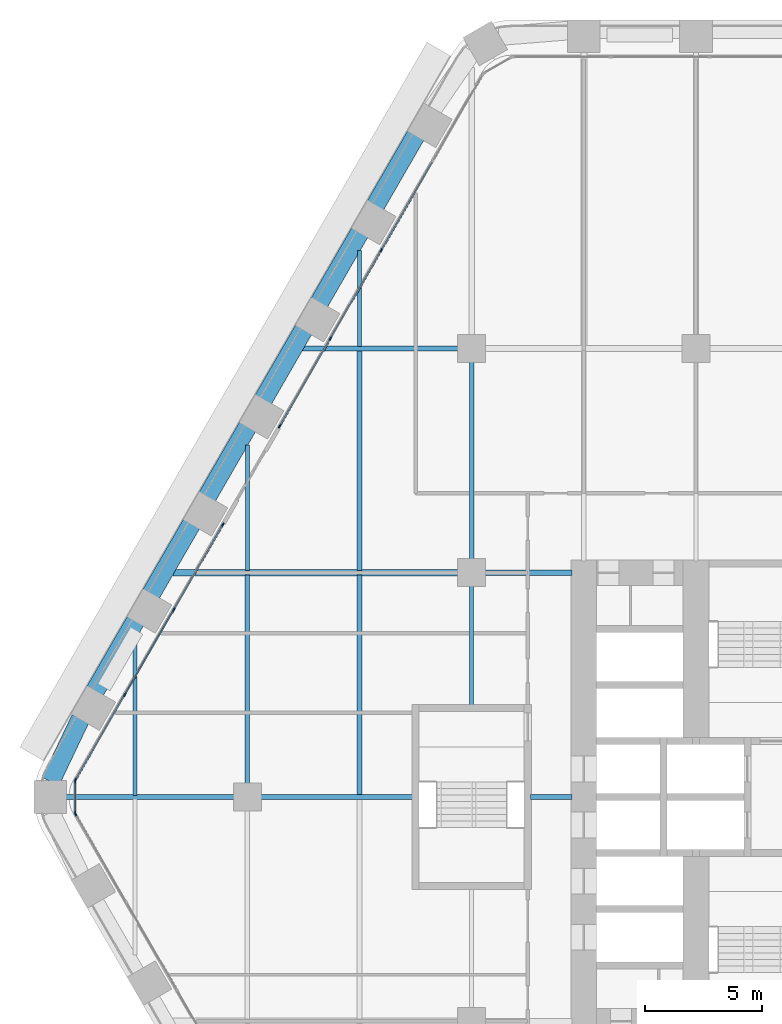
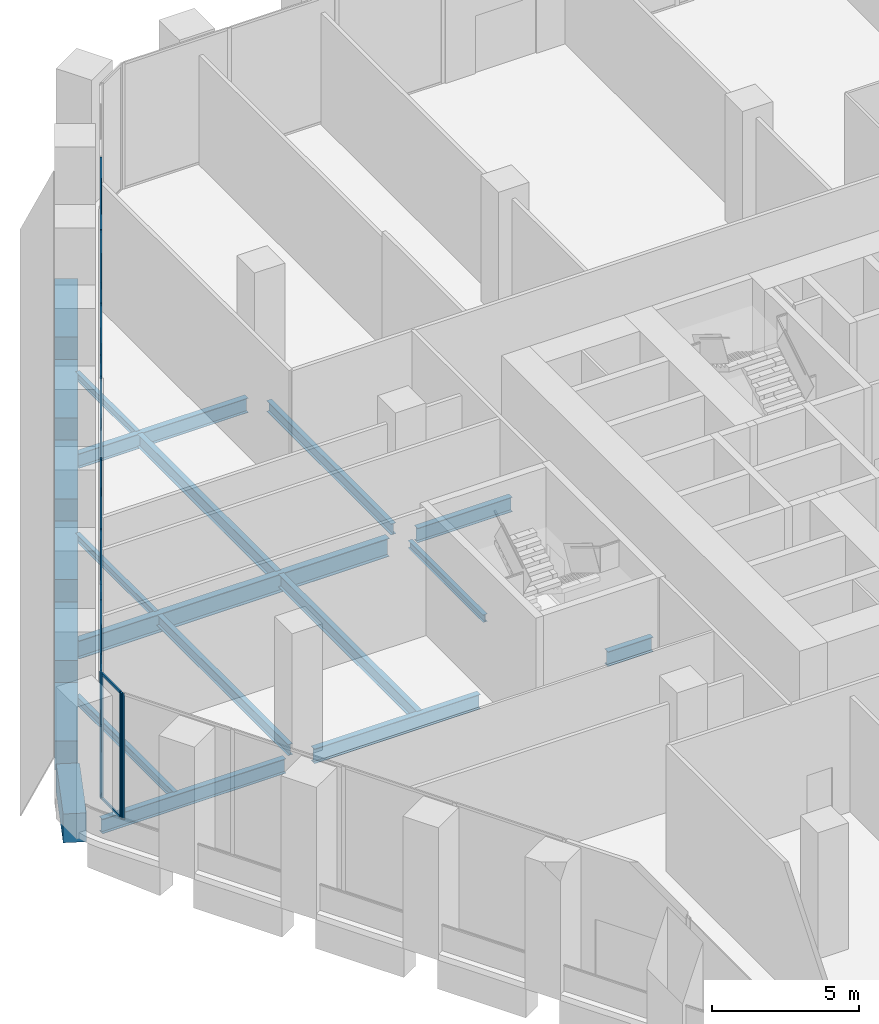
# One storey, part 7 of 27: 24 members, 21 beams, 4 elements without a shape of their own.
"""IFC4 building model written with IfcOpenShell, lengths in metres."""

import ifcopenshell
import ifcopenshell.guid

model = None  # the IFC model being written
_history = None  # IfcOwnerHistory: only IFC2X3 demands one
_inside = {}  # id of a spatial element -> (the spatial element, [elements in it])
_under = {}  # id of a project, library or spatial element -> (it, [spatial elements below it])
_declared = {}  # id of a project -> (the project, [libraries it declares])
_typed = {}  # id of a type object -> (the type object, [elements of that type])
_made_of = {}  # id of a material, layer set ... -> (it, [elements and type objects made of it])


def new_model(schema):
    """Start an empty IFC model of exactly this schema.

    Asked for "IFC4X3", IfcOpenShell would pick the latest addendum, in which some entities
    have other attributes; the version numbers below select the first issue.
    IFC2X3 requires an IfcOwnerHistory on every rooted entity: one is made here for all.
    """
    global model, _history
    if schema == "IFC4X3":
        model = ifcopenshell.file(schema_version=(4, 3, 0, 0))
    else:
        model = ifcopenshell.file(schema=schema)
    _inside.clear()
    _under.clear()
    _declared.clear()
    _typed.clear()
    _made_of.clear()
    _history = None
    if model.schema == "IFC2X3":
        org = make("IfcOrganization", Name="unknown")
        user = make(
            "IfcPersonAndOrganization",
            ThePerson=make("IfcPerson", FamilyName="unknown"),
            TheOrganization=org,
        )
        app = make(
            "IfcApplication",
            ApplicationDeveloper=org,
            Version="unknown",
            ApplicationFullName="unknown",
            ApplicationIdentifier="unknown",
        )
        _history = make(
            "IfcOwnerHistory",
            OwningUser=user,
            OwningApplication=app,
            ChangeAction="ADDED",
            CreationDate=0,
        )
    return model


def make(cls, **values):
    """One entity of the class cls with the attributes given. An attribute that is None is left unset."""
    return model.create_entity(
        cls, **{name: value for name, value in values.items() if value is not None}
    )


def rooted(cls, **values):
    """An entity with a GlobalId (a new one), such as an element, a storey or a relation."""
    return make(cls, GlobalId=ifcopenshell.guid.new(), OwnerHistory=_history, **values)


def si_unit(unit_type, name, prefix=None):
    """IfcSIUnit, for example si_unit("LENGTHUNIT", "METRE", prefix="MILLI")."""
    return make("IfcSIUnit", UnitType=unit_type, Prefix=prefix, Name=name)


def assignment(units):
    """IfcUnitAssignment: the units of a project."""
    return None if units is None else make("IfcUnitAssignment", Units=units)


def point(xyz):
    """IfcCartesianPoint."""
    return None if xyz is None else make("IfcCartesianPoint", Coordinates=xyz)


def direction(xyz):
    """IfcDirection."""
    return None if xyz is None else make("IfcDirection", DirectionRatios=xyz)


def frame(location, z_axis=None, x_axis=None):
    """IfcAxis2Placement3D, a coordinate frame: its origin and axes. An axis left out is left unset."""
    return make(
        "IfcAxis2Placement3D",
        Location=point(location),
        Axis=direction(z_axis),
        RefDirection=direction(x_axis),
    )


def frame_2d(location, x_axis=None):
    """IfcAxis2Placement2D, a coordinate frame in the plane: its origin and x axis."""
    return make(
        "IfcAxis2Placement2D", Location=point(location), RefDirection=direction(x_axis)
    )


def origin():
    """The frame at (0, 0, 0) with its axes left unset."""
    return frame((0.0, 0.0, 0.0))


def origin_2d():
    """The frame at (0, 0) in the plane with its x axis left unset."""
    return frame_2d((0.0, 0.0))


def place(relative_to, where):
    """IfcLocalPlacement: puts the frame where relative to a parent placement (None: the world)."""
    return make(
        "IfcLocalPlacement", PlacementRelTo=relative_to, RelativePlacement=where
    )


def context(
    kind, dimensions, precision=None, world=None, true_north=None, identifier=None
):
    """IfcGeometricRepresentationContext, for example the 3D "Model" context."""
    return make(
        "IfcGeometricRepresentationContext",
        ContextIdentifier=identifier,
        ContextType=kind,
        CoordinateSpaceDimension=dimensions,
        Precision=precision,
        WorldCoordinateSystem=world,
        TrueNorth=true_north,
    )


def subcontext(parent, identifier, kind, view, scale=None):
    """IfcGeometricRepresentationSubContext, for example "Body" below "Model"."""
    return make(
        "IfcGeometricRepresentationSubContext",
        ContextIdentifier=identifier,
        ContextType=kind,
        ParentContext=parent,
        TargetScale=scale,
        TargetView=view,
    )


def project(units=None, contexts=None):
    """IfcProject with its units and contexts."""
    return rooted(
        "IfcProject",
        Name="project",
        RepresentationContexts=contexts,
        UnitsInContext=assignment(units),
    )


def spatial(cls, under=None, at=None, **own):
    """A site, building, storey or space (cls), placed at a placement, below another one or the project."""
    s = rooted(cls, ObjectPlacement=at, **own)
    if under is not None:
        _under.setdefault(under.id(), (under, []))[1].append(s)
    return s


def profile(cls, at=None, kind="AREA", **sizes):
    """A parametric profile (cls). Its sizes go by their IFC names, for example OverallWidth=200.0."""
    return make(cls, ProfileType=kind, Position=at, **sizes)


def rectangle(**sizes):
    """IfcRectangleProfileDef."""
    return profile("IfcRectangleProfileDef", **sizes)


def i_section(**sizes):
    """IfcIShapeProfileDef."""
    return profile("IfcIShapeProfileDef", **sizes)


def extrude(swept, where, along, depth):
    """IfcExtrudedAreaSolid: the profile swept, set in the frame where, extruded along a direction by depth."""
    return make(
        "IfcExtrudedAreaSolid",
        SweptArea=swept,
        Position=where,
        ExtrudedDirection=direction(along),
        Depth=depth,
    )


def shape(context_of_items, identifier, shape_type, items):
    """IfcShapeRepresentation: the items that make up one representation, for example the "Body"."""
    return make(
        "IfcShapeRepresentation",
        ContextOfItems=context_of_items,
        RepresentationIdentifier=identifier,
        RepresentationType=shape_type,
        Items=items,
    )


def material(Name=None, Category=None):
    """IfcMaterial."""
    return make("IfcMaterial", Name=Name, Category=Category)


def material_profile(
    of_material, cross_section, Name=None, Category=None, Priority=None
):
    """IfcMaterialProfile: a cross section and its material."""
    return make(
        "IfcMaterialProfile",
        Name=Name,
        Material=of_material,
        Profile=cross_section,
        Priority=Priority,
        Category=Category,
    )


def profile_set(profiles, Name=None, composite=None):
    """IfcMaterialProfileSet."""
    return make(
        "IfcMaterialProfileSet",
        Name=Name,
        MaterialProfiles=profiles,
        CompositeProfile=composite,
    )


def made_of(thing, what):
    """Note that an element or type object is made of a material, layer set ...; save() writes the relation."""
    if what is not None:
        _made_of.setdefault(what.id(), (what, []))[1].append(thing)
    return thing


def type_object(cls, material=None, **own):
    """A type object (cls), such as IfcWallType, which elements share."""
    return made_of(rooted(cls, **own), material)


def element(
    cls,
    number,
    at=None,
    inside=None,
    cuts=None,
    type_object=None,
    material=None,
    context=None,
    identifier="Body",
    shape_type=None,
    held_by="IfcProductDefinitionShape",
    body=None,
    shapes=None,
    **own,
):
    """One element of the class cls, such as IfcWall. Its Tag is "e" and its number.

    at: its placement. inside: the storey or other place that contains it. cuts: it is an
    opening in that element (IfcRelVoidsElement). A single representation is given by context,
    identifier, shape_type and body (its items); several are given by shapes. held_by: the class
    of the entity that holds the representations. save() writes the other relations.
    """
    e = rooted(cls, Tag="e%d" % number, ObjectPlacement=at, **own)
    if body is not None:
        shapes = [shape(context, identifier, shape_type, body)]
    if shapes is not None:
        e.Representation = make(held_by, Representations=shapes)
    if inside is not None:
        _inside.setdefault(inside.id(), (inside, []))[1].append(e)
    if cuts is not None:
        rooted(
            "IfcRelVoidsElement", RelatingBuildingElement=cuts, RelatedOpeningElement=e
        )
    if type_object is not None:
        _typed.setdefault(type_object.id(), (type_object, []))[1].append(e)
    return made_of(e, material)


def aggregate(whole, parts):
    """IfcRelAggregates: a whole, such as a stair, and the parts it consists of."""
    return rooted("IfcRelAggregates", RelatingObject=whole, RelatedObjects=parts)


def save(model, path):
    """Write the relations noted so far, then the file.

    IfcRelAggregates (storeys below a building ...), IfcRelContainedInSpatialStructure (elements
    in a storey), IfcRelDefinesByType, IfcRelAssociatesMaterial and IfcRelDeclares: one each for
    every whole, place, type object, material and project.
    """
    for whole, parts in _under.values():
        aggregate(whole, parts)
    for where, things in _inside.values():
        rooted(
            "IfcRelContainedInSpatialStructure",
            RelatedElements=things,
            RelatingStructure=where,
        )
    for kind, things in _typed.values():
        rooted("IfcRelDefinesByType", RelatedObjects=things, RelatingType=kind)
    for what, things in _made_of.values():
        rooted("IfcRelAssociatesMaterial", RelatedObjects=things, RelatingMaterial=what)
    for by, libraries in _declared.values():
        rooted("IfcRelDeclares", RelatingContext=by, RelatedDefinitions=libraries)
    model.write(path)


model = new_model("IFC4")

# Units and contexts
model_context = context("Model", 3, precision=1e-05, world=origin(), true_north=direction((0.0, 1.0)))
body_context = subcontext(model_context, "Body", "Model", "MODEL_VIEW")
ifc_project = project(units=[si_unit("LENGTHUNIT", "METRE"), si_unit("AREAUNIT", "SQUARE_METRE"), si_unit("VOLUMEUNIT", "CUBIC_METRE"), si_unit("PLANEANGLEUNIT", "RADIAN"), si_unit("MASSUNIT", "GRAM", prefix="KILO")], contexts=[model_context])

# Site, building, storey
site_placement = place(None, origin())
site = spatial("IfcSite", under=ifc_project, at=site_placement, CompositionType="ELEMENT")
building_placement = place(site_placement, origin())
building = spatial("IfcBuilding", under=site, at=building_placement, Name="Kolab Exchange Tower", CompositionType="ELEMENT")
storey_placement = place(building_placement, frame((0.0, 0.0, 27.89990234375)))
storey = spatial("IfcBuildingStorey", under=building, at=storey_placement, Name="L05", CompositionType="ELEMENT", Elevation=27.89990234375)

# Beams
ifc_material_1 = material(Name="Steel S355", Category="steel")
ifc_material_profile_1 = material_profile(ifc_material_1, i_section(OverallWidth=0.1650390625, OverallDepth=0.31005859375, WebThickness=0.005859375, FlangeThickness=0.009765625, at=origin_2d()), Name="W310X39")
ifc_profile_set_1 = profile_set([ifc_material_profile_1], Name="Steel S355")
beam_type_1 = type_object("IfcBeamType", Name="FLOOR BEAM W310X39", PredefinedType="BEAM", material=ifc_profile_set_1)
beam_1_placement = place(storey_placement, frame((-28.800048828125, 9.693603515625, -0.40478515625), z_axis=(0.0, 1.0, 0.0), x_axis=(-1.0, 0.0, 0.0)))
element("IfcBeam", 1, at=beam_1_placement, inside=storey, type_object=beam_type_1, Name="beam/L05/fr/005", PredefinedType="BEAM", context=body_context, shape_type="SweptSolid", body=[
    extrude(i_section(OverallWidth=0.1650390625, OverallDepth=0.31005859375, WebThickness=0.005859375, FlangeThickness=0.009765625, at=origin_2d()), origin(), (0.0, 0.0, 1.0), 5.3740234375),
])
beam_2_placement = place(storey_placement, frame((-24.0, 19.27392578125, -0.40478515625), z_axis=(0.0, 1.0, 0.0), x_axis=(-1.0, 0.0, 0.0)))
element("IfcBeam", 2, at=beam_2_placement, inside=storey, type_object=beam_type_1, Name="beam/L05/fr/011", PredefinedType="BEAM", context=body_context, shape_type="SweptSolid", body=[
    extrude(i_section(OverallWidth=0.1650390625, OverallDepth=0.31005859375, WebThickness=0.005859375, FlangeThickness=0.009765625, at=origin_2d()), origin(), (0.0, 0.0, 1.0), 4.107666015625),
])
beam_3_placement = place(storey_placement, frame((-19.199951171875, 3.909912109375, -0.40478515625), z_axis=(0.0, 1.0, 0.0), x_axis=(-1.0, 0.0, 0.0)))
element("IfcBeam", 3, at=beam_3_placement, inside=storey, type_object=beam_type_1, Name="beam/L05/fr/015", PredefinedType="BEAM", context=body_context, shape_type="SweptSolid", body=[
    extrude(i_section(OverallWidth=0.1650390625, OverallDepth=0.31005859375, WebThickness=0.005859375, FlangeThickness=0.009765625, at=origin_2d()), origin(), (0.0, 0.0, 1.0), 5.130126953125),
])
ifc_material_profile_2 = material_profile(ifc_material_1, i_section(OverallWidth=0.1708984375, OverallDepth=0.35498046875, WebThickness=0.007080078125, FlangeThickness=0.01171875, at=origin_2d()), Name="W360X51")
ifc_profile_set_2 = profile_set([ifc_material_profile_2], Name="Steel S355")
beam_type_2 = type_object("IfcBeamType", Name="FLOOR BEAM W360X51", PredefinedType="BEAM", material=ifc_profile_set_2)
beam_4_placement = place(storey_placement, frame((-33.60009765625, 0.073974609375, -0.427490234375), z_axis=(0.0, 1.0, 0.0), x_axis=(-1.0, 0.0, 0.0)))
element("IfcBeam", 4, at=beam_4_placement, inside=storey, type_object=beam_type_2, Name="beam/L05/fr/001", PredefinedType="BEAM", context=body_context, shape_type="SweptSolid", body=[
    extrude(i_section(OverallWidth=0.1708984375, OverallDepth=0.35498046875, WebThickness=0.007080078125, FlangeThickness=0.01171875, at=origin_2d()), origin(), (0.0, 0.0, 1.0), 6.679931640625),
])
ifc_material_profile_3 = material_profile(ifc_material_1, i_section(OverallWidth=0.18994140625, OverallDepth=0.45703125, WebThickness=0.009033203125, FlangeThickness=0.014404296875, at=origin_2d()), Name="W460X74")
ifc_profile_set_3 = profile_set([ifc_material_profile_3], Name="Steel S355")
beam_type_3 = type_object("IfcBeamType", Name="FLOOR BEAM W460X74", PredefinedType="BEAM", material=ifc_profile_set_3)
beam_5_placement = place(storey_placement, frame((-28.800048828125, 0.56005859375, -0.478515625), z_axis=(0.0, 1.0, 0.0), x_axis=(-1.0, 0.0, 0.0)))
element("IfcBeam", 5, at=beam_5_placement, inside=storey, type_object=beam_type_3, Name="beam/L05/fr/004", PredefinedType="BEAM", context=body_context, shape_type="SweptSolid", body=[
    extrude(i_section(OverallWidth=0.18994140625, OverallDepth=0.45703125, WebThickness=0.009033203125, FlangeThickness=0.014404296875, at=origin_2d()), origin(), (0.0, 0.0, 1.0), 8.946533203125),
])
beam_6_placement = place(storey_placement, frame((-19.199951171875, 10.159912109375, -0.478515625), z_axis=(0.0, 1.0, 0.0), x_axis=(-1.0, 0.0, 0.0)))
element("IfcBeam", 6, at=beam_6_placement, inside=storey, type_object=beam_type_3, Name="beam/L05/fr/016", PredefinedType="BEAM", context=body_context, shape_type="SweptSolid", body=[
    extrude(i_section(OverallWidth=0.18994140625, OverallDepth=0.45703125, WebThickness=0.009033203125, FlangeThickness=0.014404296875, at=origin_2d()), origin(), (0.0, 0.0, 1.0), 8.47998046875),
])
ifc_material_profile_4 = material_profile(ifc_material_1, i_section(OverallWidth=0.208984375, OverallDepth=0.532958984375, WebThickness=0.01025390625, FlangeThickness=0.015625, at=origin_2d()), Name="W530X92")
ifc_profile_set_4 = profile_set([ifc_material_profile_4], Name="Steel S355")
beam_type_4 = type_object("IfcBeamType", Name="FLOOR BEAM W530X92", PredefinedType="BEAM", material=ifc_profile_set_4)
beam_7_placement = place(storey_placement, frame((-24.0, 0.073974609375, -0.516357421875), z_axis=(0.0, 1.0, 0.0), x_axis=(-1.0, 0.0, 0.0)))
element("IfcBeam", 7, at=beam_7_placement, inside=storey, type_object=beam_type_4, Name="beam/L05/fr/009", PredefinedType="BEAM", context=body_context, shape_type="SweptSolid", body=[
    extrude(i_section(OverallWidth=0.208984375, OverallDepth=0.532958984375, WebThickness=0.01025390625, FlangeThickness=0.015625, at=origin_2d()), origin(), (0.0, 0.0, 1.0), 9.4326171875),
])
beam_8_placement = place(storey_placement, frame((-24.0, 9.693603515625, -0.516357421875), z_axis=(0.0, 1.0, 0.0), x_axis=(-1.0, 0.0, 0.0)))
element("IfcBeam", 8, at=beam_8_placement, inside=storey, type_object=beam_type_4, Name="beam/L05/fr/010", PredefinedType="BEAM", context=body_context, shape_type="SweptSolid", body=[
    extrude(i_section(OverallWidth=0.208984375, OverallDepth=0.532958984375, WebThickness=0.01025390625, FlangeThickness=0.015625, at=origin_2d()), origin(), (0.0, 0.0, 1.0), 9.432373046875),
])
ifc_material_profile_5 = material_profile(ifc_material_1, i_section(OverallWidth=0.22802734375, OverallDepth=0.60791015625, WebThickness=0.01123046875, FlangeThickness=0.017333984375, at=origin_2d()), Name="W610X113")
ifc_profile_set_5 = profile_set([ifc_material_profile_5], Name="Steel S355")
beam_type_5 = type_object("IfcBeamType", Name="FLOOR GIRDER W610X113", PredefinedType="BEAM", material=ifc_profile_set_5)
beam_9_placement = place(storey_placement, frame((-36.575927734375, 0.0, -0.553955078125), z_axis=(1.0, 0.0, 0.0), x_axis=(0.0, 1.0, 0.0)))
element("IfcBeam", 9, at=beam_9_placement, inside=storey, type_object=beam_type_5, Name="beam/L05/gd/000", PredefinedType="BEAM", context=body_context, shape_type="SweptSolid", body=[
    extrude(i_section(OverallWidth=0.22802734375, OverallDepth=0.60791015625, WebThickness=0.01123046875, FlangeThickness=0.017333984375, at=origin_2d()), origin(), (0.0, 0.0, 1.0), 7.2158203125),
])
beam_10_placement = place(storey_placement, frame((-28.239990234375, 0.0, -0.553955078125), z_axis=(1.0, 0.0, 0.0), x_axis=(0.0, 1.0, 0.0)))
element("IfcBeam", 10, at=beam_10_placement, inside=storey, type_object=beam_type_5, Name="beam/L05/gd/003", PredefinedType="BEAM", context=body_context, shape_type="SweptSolid", body=[
    extrude(i_section(OverallWidth=0.22802734375, OverallDepth=0.60791015625, WebThickness=0.01123046875, FlangeThickness=0.017333984375, at=origin_2d()), origin(), (0.0, 0.0, 1.0), 6.530029296875),
])
beam_11_placement = place(storey_placement, frame((-26.43115234375, 19.199951171875, -0.553955078125), z_axis=(1.0, 0.0, 0.0), x_axis=(0.0, 1.0, 0.0)))
element("IfcBeam", 11, at=beam_11_placement, inside=storey, type_object=beam_type_5, Name="beam/L05/gd/005", PredefinedType="BEAM", context=body_context, shape_type="SweptSolid", body=[
    extrude(i_section(OverallWidth=0.22802734375, OverallDepth=0.60791015625, WebThickness=0.01123046875, FlangeThickness=0.017333984375, at=origin_2d()), origin(), (0.0, 0.0, 1.0), 6.671142578125),
])
beam_12_placement = place(storey_placement, frame((-18.639892578125, 9.60009765625, -0.553955078125), z_axis=(1.0, 0.0, 0.0), x_axis=(0.0, 1.0, 0.0)))
element("IfcBeam", 12, at=beam_12_placement, inside=storey, type_object=beam_type_5, Name="beam/L05/gd/008", PredefinedType="BEAM", context=body_context, shape_type="SweptSolid", body=[
    extrude(i_section(OverallWidth=0.22802734375, OverallDepth=0.60791015625, WebThickness=0.01123046875, FlangeThickness=0.017333984375, at=origin_2d()), origin(), (0.0, 0.0, 1.0), 3.72998046875),
])
beam_13_placement = place(storey_placement, frame((-16.68994140625, 0.0, -0.553955078125), z_axis=(1.0, 0.0, 0.0), x_axis=(0.0, 1.0, 0.0)))
element("IfcBeam", 13, at=beam_13_placement, inside=storey, type_object=beam_type_5, Name="beam/L05/gd/010", PredefinedType="BEAM", context=body_context, shape_type="SweptSolid", body=[
    extrude(i_section(OverallWidth=0.22802734375, OverallDepth=0.60791015625, WebThickness=0.01123046875, FlangeThickness=0.017333984375, at=origin_2d()), origin(), (0.0, 0.0, 1.0), 1.780029296875),
])
ifc_material_profile_6 = material_profile(ifc_material_1, i_section(OverallWidth=0.26708984375, OverallDepth=0.761962890625, WebThickness=0.014404296875, FlangeThickness=0.021484375, at=origin_2d()), Name="W760X173")
ifc_profile_set_6 = profile_set([ifc_material_profile_6], Name="Steel S355")
beam_type_6 = type_object("IfcBeamType", Name="FLOOR GIRDER W760X173", PredefinedType="BEAM", material=ifc_profile_set_6)
beam_14_placement = place(storey_placement, frame((-31.9736328125, 9.60009765625, -0.630859375), z_axis=(1.0, 0.0, 0.0), x_axis=(0.0, 1.0, 0.0)))
element("IfcBeam", 14, at=beam_14_placement, inside=storey, type_object=beam_type_6, Name="beam/L05/gd/002", PredefinedType="BEAM", context=body_context, shape_type="SweptSolid", body=[
    extrude(i_section(OverallWidth=0.26708984375, OverallDepth=0.761962890625, WebThickness=0.014404296875, FlangeThickness=0.021484375, at=origin_2d()), origin(), (0.0, 0.0, 1.0), 12.213623046875),
])
ifc_material_2 = material(Name="Concrete C80/95", Category="concrete")
ifc_material_profile_7 = material_profile(ifc_material_2, rectangle(XDim=0.800048828125, YDim=1.199951171875, at=origin_2d()), Name="RC800X1200")
ifc_profile_set_7 = profile_set([ifc_material_profile_7], Name="Concrete C80/95")
beam_type_7 = type_object("IfcBeamType", Name="SPANDREL BEAM 800X1200 C80/95", PredefinedType="BEAM", material=ifc_profile_set_7)
beam_15_placement = place(storey_placement, frame((-37.219970703125, 0.663818359375, -0.849853515625), z_axis=(0.429555669245, 0.903040379507, 0.0), x_axis=(-0.903040379507, 0.429555669245, 0.0)))
element("IfcBeam", 15, at=beam_15_placement, inside=storey, type_object=beam_type_7, Name="beam/L05/sp/F6-01", PredefinedType="BEAM", context=body_context, shape_type="SweptSolid", body=[
    extrude(rectangle(XDim=0.800048828125, YDim=1.199951171875, at=origin_2d()), origin(), (0.0, 0.0, 1.0), 2.984375),
])
beam_16_placement = place(storey_placement, frame((-35.323486328125, 4.528564453125, -0.849853515625), z_axis=(0.500009906705, 0.86601968407, 0.0), x_axis=(-0.86601968407, 0.500009906705, 0.0)))
element("IfcBeam", 16, at=beam_16_placement, inside=storey, type_object=beam_type_7, Name="beam/L05/sp/F6-02", PredefinedType="BEAM", context=body_context, shape_type="SweptSolid", body=[
    extrude(rectangle(XDim=0.800048828125, YDim=1.199951171875, at=origin_2d()), origin(), (0.0, 0.0, 1.0), 3.47998046875),
])
for number, where, z_axis, x_axis, name in (
    (17, (-32.923583984375, 8.685302734375, -0.849853515625), (0.499979528911, 0.866037222451, 0.0), (-0.866037222451, 0.499979528911, 0.0), "beam/L05/sp/F6-03"),
    (18, (-30.523681640625, 12.84228515625, -0.849853515625), (0.499979528911, 0.866037222451, 0.0), (-0.866037222451, 0.499979528911, 0.0), "beam/L05/sp/F6-04"),
):
    element("IfcBeam", number, at=place(storey_placement, frame(where, z_axis=z_axis, x_axis=x_axis)), inside=storey, type_object=beam_type_7, Name=name, PredefinedType="BEAM", context=body_context, shape_type="SweptSolid", body=[
        extrude(rectangle(XDim=0.800048828125, YDim=1.199951171875, at=origin_2d()), origin(), (0.0, 0.0, 1.0), 3.480224609375),
    ])
for number, where, z_axis, x_axis, name in (
    (19, (-28.12353515625, 16.999267578125, -0.849853515625), (0.500009906705, 0.86601968407, 0.0), (-0.86601968407, 0.500009906705, 0.0), "beam/L05/sp/F6-05"),
    (20, (-25.7236328125, 21.15625, -0.849853515625), (0.500009906705, 0.86601968407, 0.0), (-0.86601968407, 0.500009906705, 0.0), "beam/L05/sp/F6-06"),
):
    element("IfcBeam", number, at=place(storey_placement, frame(where, z_axis=z_axis, x_axis=x_axis)), inside=storey, type_object=beam_type_7, Name=name, PredefinedType="BEAM", context=body_context, shape_type="SweptSolid", body=[
        extrude(rectangle(XDim=0.800048828125, YDim=1.199951171875, at=origin_2d()), origin(), (0.0, 0.0, 1.0), 3.47998046875),
    ])
beam_17_placement = place(storey_placement, frame((-23.323486328125, 25.31298828125, -0.849853515625), z_axis=(0.499979528911, 0.866037222451, 0.0), x_axis=(-0.866037222451, 0.499979528911, 0.0)))
element("IfcBeam", 21, at=beam_17_placement, inside=storey, type_object=beam_type_7, Name="beam/L05/sp/F6-07", PredefinedType="BEAM", context=body_context, shape_type="SweptSolid", body=[
    extrude(rectangle(XDim=0.800048828125, YDim=1.199951171875, at=origin_2d()), origin(), (0.0, 0.0, 1.0), 3.480224609375),
])

# Curtain wall, member
ifc_material_3 = material(Name="Aluminium EN AW-6063 T6", Category="aluminium")
curtain_wall_type = type_object("IfcCurtainWallType", Name="UNITISED LOW ZONE CURTAIN WALL", PredefinedType="NOTDEFINED", material=ifc_material_3)
curtain_wall_1_placement = place(storey_placement, origin())
curtain_wall_1 = element("IfcCurtainWall", 22, at=curtain_wall_1_placement, inside=storey, type_object=curtain_wall_type, Name="cw/L05/F5-2", PredefinedType="NOTDEFINED")
ifc_material_profile_8 = material_profile(ifc_material_3, rectangle(XDim=0.06005859375, YDim=0.159912109375, at=origin_2d()), Name="RECT 60X160")
ifc_profile_set_8 = profile_set([ifc_material_profile_8], Name="Aluminium EN AW-6063 T6")
member_type_1 = type_object("IfcMemberType", Name="UNITISED LOW ZONE MULLION 60 X 160", PredefinedType="MULLION", material=ifc_profile_set_8)
member_1_placement = place(storey_placement, frame((-36.150634765625, -0.736083984375, 0.0), z_axis=(0.0, 0.0, 1.0), x_axis=(-0.866025422102, -0.499999968274, 0.0)))
member_1 = element("IfcMember", 23, at=member_1_placement, type_object=member_type_1, Name="CW1 mullion 5", PredefinedType="MULLION", context=body_context, shape_type="SweptSolid", body=[
    extrude(rectangle(XDim=0.06005859375, YDim=0.159912109375, at=origin_2d()), origin(), (0.0, 0.0, 1.0), 5.25),
])
aggregate(curtain_wall_1, [member_1])

# Curtain wall, members
curtain_wall_2_placement = place(storey_placement, origin())
curtain_wall_2 = element("IfcCurtainWall", 24, at=curtain_wall_2_placement, inside=storey, type_object=curtain_wall_type, Name="cw/L05/F6-1", PredefinedType="NOTDEFINED")
member_2_placement = place(storey_placement, frame((-36.150634765625, 0.736083984375, 0.0), z_axis=(0.0, 0.0, 1.0), x_axis=(-0.866025427826, 0.499999958358, 0.0)))
member_2 = element("IfcMember", 25, at=member_2_placement, type_object=member_type_1, Name="CW1 mullion 1", PredefinedType="MULLION", context=body_context, shape_type="SweptSolid", body=[
    extrude(rectangle(XDim=0.06005859375, YDim=0.159912109375, at=origin_2d()), origin(), (0.0, 0.0, 1.0), 5.25),
])
member_3_placement = place(storey_placement, frame((-34.054443359375, 4.366943359375, 0.0), z_axis=(0.0, 0.0, 1.0), x_axis=(-0.866025427826, 0.499999958358, 0.0)))
member_3 = element("IfcMember", 26, at=member_3_placement, type_object=member_type_1, Name="CW1 mullion 2", PredefinedType="MULLION", context=body_context, shape_type="SweptSolid", body=[
    extrude(rectangle(XDim=0.06005859375, YDim=0.159912109375, at=origin_2d()), origin(), (0.0, 0.0, 1.0), 5.25),
])
member_4_placement = place(storey_placement, frame((-31.943115234375, 8.02392578125, 0.0), z_axis=(0.0, 0.0, 1.0), x_axis=(-0.866025427826, 0.499999958358, 0.0)))
member_4 = element("IfcMember", 27, at=member_4_placement, type_object=member_type_1, Name="CW1 mullion 3", PredefinedType="MULLION", context=body_context, shape_type="SweptSolid", body=[
    extrude(rectangle(XDim=0.06005859375, YDim=0.159912109375, at=origin_2d()), origin(), (0.0, 0.0, 1.0), 5.25),
])
member_5_placement = place(storey_placement, frame((-29.8466796875, 11.65478515625, 0.0), z_axis=(0.0, 0.0, 1.0), x_axis=(-0.866025427826, 0.499999958358, 0.0)))
member_5 = element("IfcMember", 28, at=member_5_placement, type_object=member_type_1, Name="CW1 mullion 4", PredefinedType="MULLION", context=body_context, shape_type="SweptSolid", body=[
    extrude(rectangle(XDim=0.06005859375, YDim=0.159912109375, at=origin_2d()), origin(), (0.0, 0.0, 1.0), 5.25),
])

curtain_wall_3_placement = place(storey_placement, origin())
curtain_wall_3 = element("IfcCurtainWall", 29, at=curtain_wall_3_placement, inside=storey, type_object=curtain_wall_type, Name="cw/L05/F6-2", PredefinedType="NOTDEFINED")
member_6_placement = place(storey_placement, frame((-27.416748046875, 15.86376953125, 0.0), z_axis=(0.0, 0.0, 1.0), x_axis=(-0.866025397318, 0.5000000112, 0.0)))
member_6 = element("IfcMember", 30, at=member_6_placement, type_object=member_type_1, Name="CW1 mullion 1", PredefinedType="MULLION", context=body_context, shape_type="SweptSolid", body=[
    extrude(rectangle(XDim=0.06005859375, YDim=0.159912109375, at=origin_2d()), origin(), (0.0, 0.0, 1.0), 5.25),
])
member_7_placement = place(storey_placement, frame((-25.248291015625, 19.61962890625, 0.0), z_axis=(0.0, 0.0, 1.0), x_axis=(-0.866025397318, 0.5000000112, 0.0)))
member_7 = element("IfcMember", 31, at=member_7_placement, type_object=member_type_1, Name="CW1 mullion 2", PredefinedType="MULLION", context=body_context, shape_type="SweptSolid", body=[
    extrude(rectangle(XDim=0.06005859375, YDim=0.159912109375, at=origin_2d()), origin(), (0.0, 0.0, 1.0), 5.25),
])
member_8_placement = place(storey_placement, frame((-23.064697265625, 23.401611328125, 0.0), z_axis=(0.0, 0.0, 1.0), x_axis=(-0.866025397318, 0.5000000112, 0.0)))
member_8 = element("IfcMember", 32, at=member_8_placement, type_object=member_type_1, Name="CW1 mullion 3", PredefinedType="MULLION", context=body_context, shape_type="SweptSolid", body=[
    extrude(rectangle(XDim=0.06005859375, YDim=0.159912109375, at=origin_2d()), origin(), (0.0, 0.0, 1.0), 5.25),
])

curtain_wall_4_placement = place(storey_placement, origin())
curtain_wall_4 = element("IfcCurtainWall", 33, at=curtain_wall_4_placement, inside=storey, type_object=curtain_wall_type, Name="cw/L05/F5F6-corner", PredefinedType="NOTDEFINED")
member_9_placement = place(storey_placement, frame((-36.165771484375, -0.679931640625, 0.0), z_axis=(0.0, 0.0, 1.0), x_axis=(-1.0, 0.0, 0.0)))
member_9 = element("IfcMember", 34, at=member_9_placement, type_object=member_type_1, Name="CW1 mullion 1", PredefinedType="MULLION", context=body_context, shape_type="SweptSolid", body=[
    extrude(rectangle(XDim=0.06005859375, YDim=0.159912109375, at=origin_2d()), origin(), (0.0, 0.0, 1.0), 5.25),
])
member_10_placement = place(storey_placement, frame((-36.165771484375, 0.679931640625, 0.0), z_axis=(0.0, 0.0, 1.0), x_axis=(-1.0, 0.0, 0.0)))
member_10 = element("IfcMember", 35, at=member_10_placement, type_object=member_type_1, Name="CW1 mullion 2", PredefinedType="MULLION", context=body_context, shape_type="SweptSolid", body=[
    extrude(rectangle(XDim=0.06005859375, YDim=0.159912109375, at=origin_2d()), origin(), (0.0, 0.0, 1.0), 5.25),
])

# Member
ifc_material_profile_9 = material_profile(ifc_material_3, rectangle(XDim=0.06005859375, YDim=0.10009765625, at=origin_2d()), Name="RECT 60X100")
ifc_profile_set_9 = profile_set([ifc_material_profile_9], Name="Aluminium EN AW-6063 T6")
member_type_2 = type_object("IfcMemberType", Name="UNITISED LOW ZONE TRANSOM 60 X 100", PredefinedType="USERDEFINED", material=ifc_profile_set_9)
member_11_placement = place(storey_placement, frame((-36.1357421875, 0.761962890625, 0.030029296875), z_axis=(0.500027577057, 0.866009481578, 0.0), x_axis=(-0.866009481578, 0.500027577057, 0.0)))
member_11 = element("IfcMember", 36, at=member_11_placement, type_object=member_type_2, Name="CW1 transom 1.1", ObjectType="TRANSOM", PredefinedType="USERDEFINED", context=body_context, shape_type="SweptSolid", body=[
    extrude(rectangle(XDim=0.06005859375, YDim=0.10009765625, at=origin_2d()), origin(), (0.0, 0.0, 1.0), 4.132568359375),
])

member_12_placement = place(storey_placement, frame((-36.1357421875, 0.761962890625, 5.22021484375), z_axis=(0.500027577057, 0.866009481578, 0.0), x_axis=(-0.866009481578, 0.500027577057, 0.0)))
member_12 = element("IfcMember", 37, at=member_12_placement, type_object=member_type_2, Name="CW1 transom 1.2", ObjectType="TRANSOM", PredefinedType="USERDEFINED", context=body_context, shape_type="SweptSolid", body=[
    extrude(rectangle(XDim=0.06005859375, YDim=0.10009765625, at=origin_2d()), origin(), (0.0, 0.0, 1.0), 4.132568359375),
])

member_13_placement = place(storey_placement, frame((-34.039306640625, 4.392822265625, 0.030029296875), z_axis=(0.49999322259, 0.866029316688, 0.0), x_axis=(-0.866029316688, 0.49999322259, 0.0)))
member_13 = element("IfcMember", 38, at=member_13_placement, type_object=member_type_2, Name="CW1 transom 2.1", ObjectType="TRANSOM", PredefinedType="USERDEFINED", context=body_context, shape_type="SweptSolid", body=[
    extrude(rectangle(XDim=0.06005859375, YDim=0.10009765625, at=origin_2d()), origin(), (0.0, 0.0, 1.0), 4.16259765625),
])

member_14_placement = place(storey_placement, frame((-34.039306640625, 4.392822265625, 5.22021484375), z_axis=(0.49999322259, 0.866029316688, 0.0), x_axis=(-0.866029316688, 0.49999322259, 0.0)))
member_14 = element("IfcMember", 39, at=member_14_placement, type_object=member_type_2, Name="CW1 transom 2.2", ObjectType="TRANSOM", PredefinedType="USERDEFINED", context=body_context, shape_type="SweptSolid", body=[
    extrude(rectangle(XDim=0.06005859375, YDim=0.10009765625, at=origin_2d()), origin(), (0.0, 0.0, 1.0), 4.16259765625),
])

member_15_placement = place(storey_placement, frame((-31.927978515625, 8.0498046875, 0.030029296875), z_axis=(0.500001996123, 0.866024251319, 0.0), x_axis=(-0.866024251319, 0.500001996123, 0.0)))
member_15 = element("IfcMember", 40, at=member_15_placement, type_object=member_type_2, Name="CW1 transom 3.1", ObjectType="TRANSOM", PredefinedType="USERDEFINED", context=body_context, shape_type="SweptSolid", body=[
    extrude(rectangle(XDim=0.06005859375, YDim=0.10009765625, at=origin_2d()), origin(), (0.0, 0.0, 1.0), 4.1328125),
])

member_16_placement = place(storey_placement, frame((-31.927978515625, 8.0498046875, 5.22021484375), z_axis=(0.500001996123, 0.866024251319, 0.0), x_axis=(-0.866024251319, 0.500001996123, 0.0)))
member_16 = element("IfcMember", 41, at=member_16_placement, type_object=member_type_2, Name="CW1 transom 3.2", ObjectType="TRANSOM", PredefinedType="USERDEFINED", context=body_context, shape_type="SweptSolid", body=[
    extrude(rectangle(XDim=0.06005859375, YDim=0.10009765625, at=origin_2d()), origin(), (0.0, 0.0, 1.0), 4.1328125),
])

aggregate(curtain_wall_2, [member_2, member_3, member_4, member_5, member_11, member_12, member_13, member_14, member_15, member_16])

member_17_placement = place(storey_placement, frame((-27.401611328125, 15.8896484375, 0.030029296875), z_axis=(0.499976099074, 0.866039202551, 0.0), x_axis=(-0.866039202551, 0.499976099074, 0.0)))
member_17 = element("IfcMember", 42, at=member_17_placement, type_object=member_type_2, Name="CW1 transom 1.1", ObjectType="TRANSOM", PredefinedType="USERDEFINED", context=body_context, shape_type="SweptSolid", body=[
    extrude(rectangle(XDim=0.06005859375, YDim=0.10009765625, at=origin_2d()), origin(), (0.0, 0.0, 1.0), 4.277099609375),
])

member_18_placement = place(storey_placement, frame((-27.401611328125, 15.8896484375, 5.22021484375), z_axis=(0.499976099074, 0.866039202551, 0.0), x_axis=(-0.866039202551, 0.499976099074, 0.0)))
member_18 = element("IfcMember", 43, at=member_18_placement, type_object=member_type_2, Name="CW1 transom 1.2", ObjectType="TRANSOM", PredefinedType="USERDEFINED", context=body_context, shape_type="SweptSolid", body=[
    extrude(rectangle(XDim=0.06005859375, YDim=0.10009765625, at=origin_2d()), origin(), (0.0, 0.0, 1.0), 4.277099609375),
])

member_19_placement = place(storey_placement, frame((-25.233154296875, 19.6455078125, 0.030029296875), z_axis=(0.500010313095, 0.866019449435, 0.0), x_axis=(-0.866019449435, 0.500010313095, 0.0)))
member_19 = element("IfcMember", 44, at=member_19_placement, type_object=member_type_2, Name="CW1 transom 2.1", ObjectType="TRANSOM", PredefinedType="USERDEFINED", context=body_context, shape_type="SweptSolid", body=[
    extrude(rectangle(XDim=0.06005859375, YDim=0.10009765625, at=origin_2d()), origin(), (0.0, 0.0, 1.0), 4.30712890625),
])

member_20_placement = place(storey_placement, frame((-25.233154296875, 19.6455078125, 5.22021484375), z_axis=(0.500010313095, 0.866019449435, 0.0), x_axis=(-0.866019449435, 0.500010313095, 0.0)))
member_20 = element("IfcMember", 45, at=member_20_placement, type_object=member_type_2, Name="CW1 transom 2.2", ObjectType="TRANSOM", PredefinedType="USERDEFINED", context=body_context, shape_type="SweptSolid", body=[
    extrude(rectangle(XDim=0.06005859375, YDim=0.10009765625, at=origin_2d()), origin(), (0.0, 0.0, 1.0), 4.30712890625),
])

member_21_placement = place(storey_placement, frame((-23.0498046875, 23.427490234375, 0.030029296875), z_axis=(0.500010313095, 0.866019449435, 0.0), x_axis=(-0.866019449435, 0.500010313095, 0.0)))
member_21 = element("IfcMember", 46, at=member_21_placement, type_object=member_type_2, Name="CW1 transom 3.1", ObjectType="TRANSOM", PredefinedType="USERDEFINED", context=body_context, shape_type="SweptSolid", body=[
    extrude(rectangle(XDim=0.06005859375, YDim=0.10009765625, at=origin_2d()), origin(), (0.0, 0.0, 1.0), 4.30712890625),
])

member_22_placement = place(storey_placement, frame((-23.0498046875, 23.427490234375, 5.22021484375), z_axis=(0.500010313095, 0.866019449435, 0.0), x_axis=(-0.866019449435, 0.500010313095, 0.0)))
member_22 = element("IfcMember", 47, at=member_22_placement, type_object=member_type_2, Name="CW1 transom 3.2", ObjectType="TRANSOM", PredefinedType="USERDEFINED", context=body_context, shape_type="SweptSolid", body=[
    extrude(rectangle(XDim=0.06005859375, YDim=0.10009765625, at=origin_2d()), origin(), (0.0, 0.0, 1.0), 4.30712890625),
])

aggregate(curtain_wall_3, [member_6, member_7, member_8, member_17, member_18, member_19, member_20, member_21, member_22])

member_23_placement = place(storey_placement, frame((-36.165771484375, -0.64990234375, 0.030029296875), z_axis=(0.0, 1.0, 0.0), x_axis=(-1.0, 0.0, 0.0)))
member_23 = element("IfcMember", 48, at=member_23_placement, type_object=member_type_2, Name="CW1 transom 1.1", ObjectType="TRANSOM", PredefinedType="USERDEFINED", context=body_context, shape_type="SweptSolid", body=[
    extrude(rectangle(XDim=0.06005859375, YDim=0.10009765625, at=origin_2d()), origin(), (0.0, 0.0, 1.0), 1.2998046875),
])

member_24_placement = place(storey_placement, frame((-36.165771484375, -0.64990234375, 5.22021484375), z_axis=(0.0, 1.0, 0.0), x_axis=(-1.0, 0.0, 0.0)))
member_24 = element("IfcMember", 49, at=member_24_placement, type_object=member_type_2, Name="CW1 transom 1.2", ObjectType="TRANSOM", PredefinedType="USERDEFINED", context=body_context, shape_type="SweptSolid", body=[
    extrude(rectangle(XDim=0.06005859375, YDim=0.10009765625, at=origin_2d()), origin(), (0.0, 0.0, 1.0), 1.2998046875),
])

aggregate(curtain_wall_4, [member_9, member_10, member_23, member_24])

save(model, "model.ifc")
